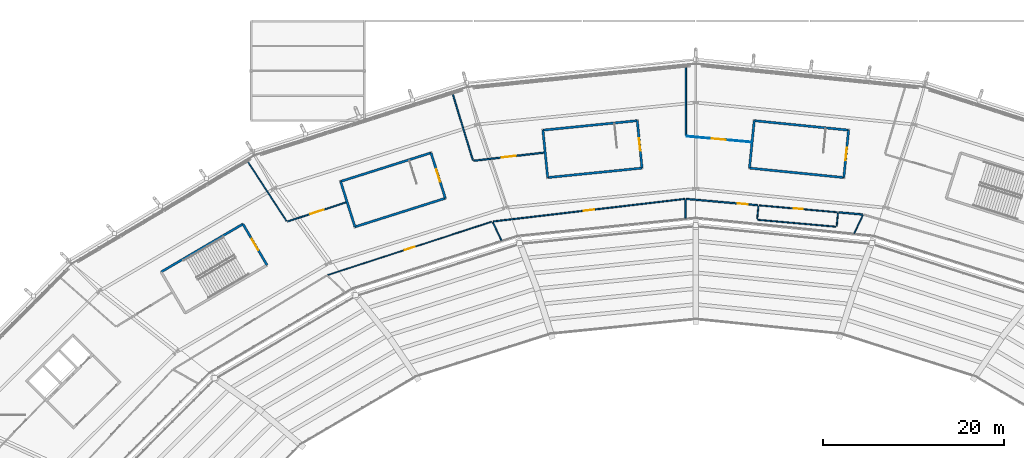
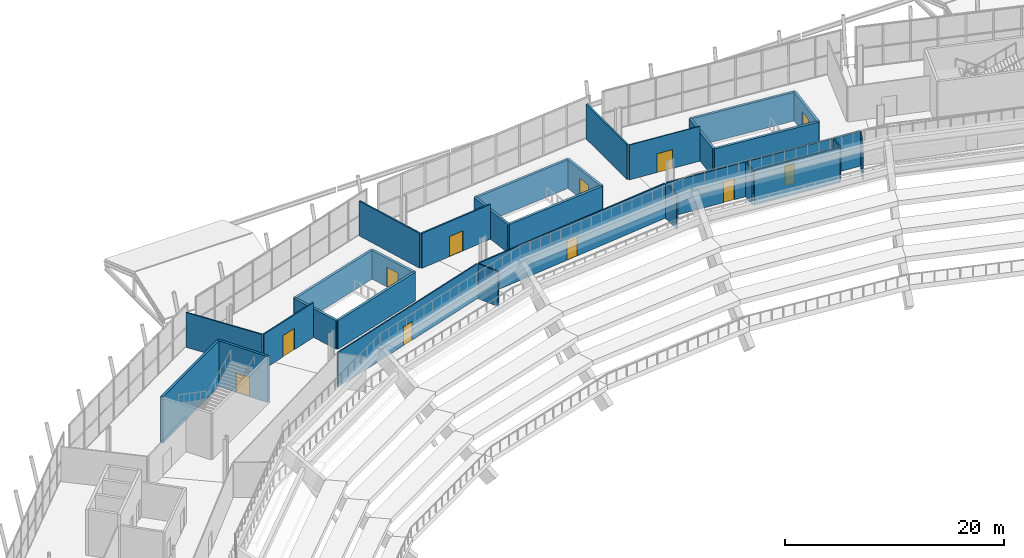
# One storey, part 103 of 126: 31 walls, 11 doors, 11 openings.
"""IFC4 building model written with IfcOpenShell, lengths in metres."""

from ifc_helpers import new_model, si_unit, direction, frame, frame_2d, origin, place, context, subcontext, project, spatial, rectangle, extrude, material, layer, layer_set, type_object, element, fill, save


model = new_model("IFC4")

# Units and contexts
model_context = context("Model", 3, precision=1e-05, world=origin(), true_north=direction((0.0, 1.0)))
body_context = subcontext(model_context, "Body", "Model", "MODEL_VIEW")
ifc_project = project(units=[si_unit("LENGTHUNIT", "METRE"), si_unit("AREAUNIT", "SQUARE_METRE"), si_unit("VOLUMEUNIT", "CUBIC_METRE"), si_unit("PLANEANGLEUNIT", "RADIAN"), si_unit("MASSUNIT", "GRAM", prefix="KILO")], contexts=[model_context])

# Site, building, storey
site_placement = place(None, origin())
site = spatial("IfcSite", under=ifc_project, at=site_placement, CompositionType="ELEMENT")
building_placement = place(site_placement, origin())
building = spatial("IfcBuilding", under=site, at=building_placement, Name="Zlatoyarsky Gate Stadium", CompositionType="ELEMENT")
storey_placement = place(building_placement, frame((0.0, 0.0, 20.800048828125)))
storey = spatial("IfcBuildingStorey", under=building, at=storey_placement, Name="L04", CompositionType="ELEMENT", Elevation=20.800048828125)

# Walls
ifc_material_1 = material(Name="Double-stud acoustic gypsum partition", Category="gypsum")
ifc_layer_1 = layer(ifc_material_1, 0.169921875)
ifc_layer_set_1 = layer_set([ifc_layer_1], Name="Double-stud acoustic gypsum partition")
wall_type_1 = type_object("IfcWallType", Name="ACOUSTIC BROADCAST STUDIO WALL 170", PredefinedType="PARTITIONING", material=ifc_layer_set_1)
wall_1_placement = place(storey_placement, frame((129.3798828125, 138.66455078125, 0.0), z_axis=(0.0, 0.0, 1.0), x_axis=(-0.9961360632, 0.08782336587, 0.0)))
element("IfcWall", 1, at=wall_1_placement, inside=storey, type_object=wall_type_1, Name="L04 interior partition PRT-L04-WCL-05", PredefinedType="PARTITIONING", context=body_context, shape_type="SweptSolid", body=[
    extrude(rectangle(XDim=2.6298828125, YDim=0.169921875, at=frame_2d((1.31494140625, 0.0))), origin(), (0.0, 0.0, 1.0), 3.889892578125),
])
wall_2_placement = place(storey_placement, frame((109.905517578125, 147.375, 0.0), z_axis=(0.0, 0.0, 1.0), x_axis=(3.2559502e-05, 0.99999999947, 0.0)))
element("IfcWall", 2, at=wall_2_placement, inside=storey, type_object=wall_type_1, Name="L04 interior partition PRT-L04-ORD-05R", PredefinedType="PARTITIONING", context=body_context, shape_type="SweptSolid", body=[
    extrude(rectangle(XDim=7.498291015625, YDim=0.169921875, at=frame_2d((3.7490234375, 0.0))), origin(), (0.0, 0.0, 1.0), 3.889892578125),
])

# Wall, opening, door
ifc_material_2 = material(Name="Moisture-resistant masonry partition", Category="masonry")
ifc_layer_2 = layer(ifc_material_2, 0.139892578125)
ifc_layer_set_2 = layer_set([ifc_layer_2], Name="Moisture-resistant masonry partition")
wall_type_2 = type_object("IfcWallType", Name="ATHLETE CHANGING BLOCK PARTITION 140", PredefinedType="PARTITIONING", material=ifc_layer_set_2)
wall_3_placement = place(storey_placement, frame((109.771240234375, 140.3759765625, 0.0), z_axis=(0.0, 0.0, 1.0), x_axis=(-0.993156562859, -0.116790588879, 0.0)))
wall_3 = element("IfcWall", 3, at=wall_3_placement, inside=storey, type_object=wall_type_2, Name="L04 vomitory portal wall PRT-L04-ICC-06", PredefinedType="PARTITIONING", context=body_context, shape_type="SweptSolid", body=[
    extrude(rectangle(XDim=21.251220703125, YDim=0.139892578125, at=frame_2d((10.62548828125, 0.0))), origin(), (0.0, 0.0, 1.0), 3.889892578125),
])
opening_1_placement = place(wall_3_placement, frame((10.045654296875, 0.0, 0.0)))
opening_1 = element("IfcOpeningElement", 4, at=opening_1_placement, cuts=wall_3, Name="Opening D-L04-513", PredefinedType="OPENING", context=body_context, shape_type="SweptSolid", body=[
    extrude(rectangle(XDim=1.159912109375, YDim=2.239990234375, at=frame_2d((0.580078125, 1.1201171875))), frame((0.0, 0.079833984375, 0.0), z_axis=(0.0, -1.0, 0.0), x_axis=(1.0, 0.0, 0.0)), (0.0, 0.0, 1.0), 0.159912109375),
])
ifc_material_3 = material(Name="Powder-coated steel fire door", Category="steel")
door_type_1 = type_object("IfcDoorType", Name="ACOUSTIC INTERIOR DOOR 1160X2240", OperationType="NOTDEFINED", PredefinedType="DOOR", material=ifc_material_3)
door_1_placement = place(opening_1_placement, origin())
door_1 = element("IfcDoor", 5, at=door_1_placement, inside=storey, type_object=door_type_1, Name="L04 vomitory portal door D-L04-513", OperationType="SINGLE_SWING_LEFT", OverallHeight=2.239990234375, OverallWidth=1.159912109375, PredefinedType="DOOR", context=body_context, shape_type="SweptSolid", body=[
    extrude(rectangle(XDim=1.159912109375, YDim=2.239990234375, at=frame_2d((0.580078125, 1.1201171875))), frame((0.0, 0.02490234375, 0.0), z_axis=(0.0, -1.0, 0.0), x_axis=(1.0, 0.0, 0.0)), (0.0, 0.0, 1.0), 0.050048828125),
])
fill(opening_1, door_1)

wall_4_placement = place(storey_placement, frame((72.448486328125, 139.995361328125, 0.0), z_axis=(0.0, 0.0, 1.0), x_axis=(-0.950436489512, -0.310918766567, 0.0)))
wall_4 = element("IfcWall", 6, at=wall_4_placement, inside=storey, type_object=wall_type_2, Name="L04 interior partition PRT-L04-OCC-07-1", PredefinedType="PARTITIONING", context=body_context, shape_type="SweptSolid", body=[
    extrude(rectangle(XDim=6.766357421875, YDim=0.139892578125, at=frame_2d((3.38330078125, 0.0))), origin(), (0.0, 0.0, 1.0), 3.889892578125),
])
opening_2_placement = place(wall_4_placement, frame((2.60302734375, 0.0, 0.0)))
opening_2 = element("IfcOpeningElement", 7, at=opening_2_placement, cuts=wall_4, Name="Opening D-L04-573", PredefinedType="OPENING", context=body_context, shape_type="SweptSolid", body=[
    extrude(rectangle(XDim=1.56005859375, YDim=2.3798828125, at=frame_2d((0.780029296875, 1.18994140625))), frame((0.0, 0.079833984375, 0.0), z_axis=(0.0, -1.0, 0.0), x_axis=(1.0, 0.0, 0.0)), (0.0, 0.0, 1.0), 0.159912109375),
])
door_type_2 = type_object("IfcDoorType", Name="ACOUSTIC INTERIOR DOOR 1560X2380", OperationType="NOTDEFINED", PredefinedType="DOOR", material=ifc_material_3)
door_2_placement = place(opening_2_placement, origin())
door_2 = element("IfcDoor", 8, at=door_2_placement, inside=storey, type_object=door_type_2, Name="L04 room door D-L04-573", OperationType="SINGLE_SWING_RIGHT", OverallHeight=2.3798828125, OverallWidth=1.56005859375, PredefinedType="DOOR", context=body_context, shape_type="SweptSolid", body=[
    extrude(rectangle(XDim=1.56005859375, YDim=2.3798828125, at=frame_2d((0.780029296875, 1.18994140625))), frame((0.0, 0.02490234375, 0.0), z_axis=(0.0, -1.0, 0.0), x_axis=(1.0, 0.0, 0.0)), (0.0, 0.0, 1.0), 0.050048828125),
])
fill(opening_2, door_2)

# Walls
ifc_material_4 = material(Name="Metal-stud gypsum partition", Category="gypsum")
ifc_layer_3 = layer(ifc_material_4, 0.14990234375)
ifc_layer_set_3 = layer_set([ifc_layer_3], Name="Metal-stud gypsum partition")
wall_type_3 = type_object("IfcWallType", Name="CONCOURSE CORRIDOR PARTITION 150", PredefinedType="PARTITIONING", material=ifc_layer_set_3)
wall_5_placement = place(storey_placement, frame((109.855712890625, 138.249267578125, 0.0), z_axis=(0.0, 0.0, 1.0), x_axis=(0.0, 1.0, 0.0)))
element("IfcWall", 9, at=wall_5_placement, inside=storey, type_object=wall_type_3, Name="L04 interior partition PRT-L04-IRD-06", PredefinedType="PARTITIONING", context=body_context, shape_type="SweptSolid", body=[
    extrude(rectangle(XDim=2.051513671875, YDim=0.14990234375, at=frame_2d((1.02587890625, 0.0))), origin(), (0.0, 0.0, 1.0), 3.889892578125),
])
wall_6_placement = place(storey_placement, frame((86.427001953125, 144.65771484375, 0.0), z_axis=(0.0, 0.0, 1.0), x_axis=(-0.289864051143, 0.957067830331, 0.0)))
element("IfcWall", 10, at=wall_6_placement, inside=storey, type_object=wall_type_3, Name="L04 interior partition PRT-L04-ORD-06R", PredefinedType="PARTITIONING", context=body_context, shape_type="SweptSolid", body=[
    extrude(rectangle(XDim=7.5634765625, YDim=0.14990234375, at=frame_2d((3.78173828125, 0.0))), origin(), (0.0, 0.0, 1.0), 3.889892578125),
])

# Wall, opening, door
ifc_material_5 = material(Name="Concrete C40/50", Category="concrete")
ifc_layer_4 = layer(ifc_material_5, 0.25)
ifc_layer_set_4 = layer_set([ifc_layer_4], Name="Concrete C40/50")
wall_type_4 = type_object("IfcWallType", Name="CONCRETE STAIR CORE SHEAR WALL 250", PredefinedType="SHEAR", material=ifc_layer_set_4)
wall_7_placement = place(storey_placement, frame((105.07861328125, 143.779052734375, 0.0), z_axis=(0.0, 0.0, 1.0), x_axis=(-0.100028593886, 0.994984562898, 0.0)))
wall_7 = element("IfcWall", 11, at=wall_7_placement, inside=storey, type_object=wall_type_4, Name="ST-04 L04 stair core entrance shear wall", PredefinedType="SHEAR", context=body_context, shape_type="SweptSolid", body=[
    extrude(rectangle(XDim=5.25, YDim=0.25, at=frame_2d((2.625, 0.0))), origin(), (0.0, 0.0, 1.0), 3.199951171875),
])
opening_3_placement = place(wall_7_placement, frame((1.925048828125, 0.0, 0.0)))
opening_3 = element("IfcOpeningElement", 12, at=opening_3_placement, cuts=wall_7, Name="Opening SD-ST-04-L04", PredefinedType="OPENING", context=body_context, shape_type="SweptSolid", body=[
    extrude(rectangle(XDim=1.39990234375, YDim=2.199951171875, at=frame_2d((0.699951171875, 1.10009765625))), frame((0.0, 0.135009765625, 0.0), z_axis=(0.0, -1.0, 0.0), x_axis=(1.0, 0.0, 0.0)), (0.0, 0.0, 1.0), 0.27001953125),
])
door_type_3 = type_object("IfcDoorType", Name="STAIR CORE FIRE EXIT DOOR 1400X2200", OperationType="NOTDEFINED", PredefinedType="DOOR", material=ifc_material_3)
door_3_placement = place(opening_3_placement, frame((1.39990234375, 0.0, 0.0), z_axis=(0.0, 0.0, 1.0), x_axis=(-1.0, 0.0, 0.0)))
door_3 = element("IfcDoor", 13, at=door_3_placement, inside=storey, type_object=door_type_3, Name="ST-04 L04 stair fire door", OperationType="SINGLE_SWING_RIGHT", OverallHeight=2.199951171875, OverallWidth=1.39990234375, PredefinedType="DOOR", context=body_context, shape_type="SweptSolid", body=[
    extrude(rectangle(XDim=1.39990234375, YDim=2.199951171875, at=frame_2d((0.699951171875, 1.10009765625))), frame((0.0, 0.02490234375, 0.0), z_axis=(0.0, -1.0, 0.0), x_axis=(1.0, 0.0, 0.0)), (0.0, 0.0, 1.0), 0.050048828125),
])
fill(opening_3, door_3)

# Walls
wall_8_placement = place(storey_placement, frame((104.553466796875, 149.002685546875, 0.0), z_axis=(0.0, 0.0, 1.0), x_axis=(-0.994985938948, -0.100014905366, 0.0)))
element("IfcWall", 14, at=wall_8_placement, inside=storey, type_object=wall_type_4, Name="ST-04 L04 stair core left shear wall", PredefinedType="SHEAR", context=body_context, shape_type="SweptSolid", body=[
    extrude(rectangle(XDim=10.4501953125, YDim=0.25, at=frame_2d((5.22509765625, 0.0))), origin(), (0.0, 0.0, 1.0), 3.199951171875),
])
wall_9_placement = place(storey_placement, frame((94.15576171875, 147.95751953125, 0.0), z_axis=(0.0, 0.0, 1.0), x_axis=(0.100028593886, -0.994984562898, 0.0)))
element("IfcWall", 15, at=wall_9_placement, inside=storey, type_object=wall_type_4, Name="ST-04 L04 stair core far shear wall", PredefinedType="SHEAR", context=body_context, shape_type="SweptSolid", body=[
    extrude(rectangle(XDim=5.25, YDim=0.25, at=frame_2d((2.625, 0.0))), origin(), (0.0, 0.0, 1.0), 3.199951171875),
])
wall_10_placement = place(storey_placement, frame((94.680908203125, 142.73388671875, 0.0), z_axis=(0.0, 0.0, 1.0), x_axis=(0.994985938948, 0.100014905366, 0.0)))
element("IfcWall", 16, at=wall_10_placement, inside=storey, type_object=wall_type_4, Name="ST-04 L04 stair core right shear wall", PredefinedType="SHEAR", context=body_context, shape_type="SweptSolid", body=[
    extrude(rectangle(XDim=10.4501953125, YDim=0.25, at=frame_2d((5.22509765625, 0.0))), origin(), (0.0, 0.0, 1.0), 3.199951171875),
])

# Wall, opening, door
wall_11_placement = place(storey_placement, frame((63.74658203125, 133.083984375, 0.0), z_axis=(0.0, 0.0, 1.0), x_axis=(-0.505460490551, 0.862849750821, 0.0)))
wall_11 = element("IfcWall", 17, at=wall_11_placement, inside=storey, type_object=wall_type_4, Name="ST-05 L04 stair core entrance shear wall", PredefinedType="SHEAR", context=body_context, shape_type="SweptSolid", body=[
    extrude(rectangle(XDim=5.249755859375, YDim=0.25, at=frame_2d((2.625, 0.0))), origin(), (0.0, 0.0, 1.0), 5.139892578125),
])
opening_4_placement = place(wall_11_placement, frame((1.925048828125, 0.0, 0.0)))
opening_4 = element("IfcOpeningElement", 18, at=opening_4_placement, cuts=wall_11, Name="Opening SD-ST-05-L04", PredefinedType="OPENING", context=body_context, shape_type="SweptSolid", body=[
    extrude(rectangle(XDim=1.39990234375, YDim=2.199951171875, at=frame_2d((0.699951171875, 1.10009765625))), frame((0.0, 0.135009765625, 0.0), z_axis=(0.0, -1.0, 0.0), x_axis=(1.0, 0.0, 0.0)), (0.0, 0.0, 1.0), 0.27001953125),
])
door_4_placement = place(opening_4_placement, frame((1.39990234375, 0.0, 0.0), z_axis=(0.0, 0.0, 1.0), x_axis=(-1.0, 0.0, 0.0)))
door_4 = element("IfcDoor", 19, at=door_4_placement, inside=storey, type_object=door_type_3, Name="ST-05 L04 stair fire door", OperationType="SINGLE_SWING_RIGHT", OverallHeight=2.199951171875, OverallWidth=1.39990234375, PredefinedType="DOOR", context=body_context, shape_type="SweptSolid", body=[
    extrude(rectangle(XDim=1.39990234375, YDim=2.199951171875, at=frame_2d((0.699951171875, 1.10009765625))), frame((0.0, 0.02490234375, 0.0), z_axis=(0.0, -1.0, 0.0), x_axis=(1.0, 0.0, 0.0)), (0.0, 0.0, 1.0), 0.050048828125),
])
fill(opening_4, door_4)

# Wall
wall_12_placement = place(storey_placement, frame((61.093017578125, 137.61376953125, 0.0), z_axis=(0.0, 0.0, 1.0), x_axis=(-0.862854686184, -0.505452065513, 0.0)))
element("IfcWall", 20, at=wall_12_placement, inside=storey, type_object=wall_type_4, Name="ST-05 L04 stair core left shear wall", PredefinedType="SHEAR", context=body_context, shape_type="SweptSolid", body=[
    extrude(rectangle(XDim=10.449951171875, YDim=0.25, at=frame_2d((5.22509765625, 0.0))), origin(), (0.0, 0.0, 1.0), 5.139892578125),
])

# Wall, opening, door
wall_13_placement = place(storey_placement, frame((83.400390625, 140.4521484375, 0.0), z_axis=(0.0, 0.0, 1.0), x_axis=(-0.30152749866, 0.953457480726, 0.0)))
wall_13 = element("IfcWall", 21, at=wall_13_placement, inside=storey, type_object=wall_type_4, Name="ST-14 L04 stair core entrance shear wall", PredefinedType="SHEAR", context=body_context, shape_type="SweptSolid", body=[
    extrude(rectangle(XDim=5.25, YDim=0.25, at=frame_2d((2.625, 0.0))), origin(), (0.0, 0.0, 1.0), 3.199951171875),
])
opening_5_placement = place(wall_13_placement, frame((1.925048828125, 0.0, 0.0)))
opening_5 = element("IfcOpeningElement", 22, at=opening_5_placement, cuts=wall_13, Name="Opening SD-ST-14-L04", PredefinedType="OPENING", context=body_context, shape_type="SweptSolid", body=[
    extrude(rectangle(XDim=1.39990234375, YDim=2.199951171875, at=frame_2d((0.699951171875, 1.10009765625))), frame((0.0, 0.135009765625, 0.0), z_axis=(0.0, -1.0, 0.0), x_axis=(1.0, 0.0, 0.0)), (0.0, 0.0, 1.0), 0.27001953125),
])
door_5_placement = place(opening_5_placement, frame((1.39990234375, 0.0, 0.0), z_axis=(0.0, 0.0, 1.0), x_axis=(-1.0, 0.0, 0.0)))
door_5 = element("IfcDoor", 23, at=door_5_placement, inside=storey, type_object=door_type_3, Name="ST-14 L04 stair fire door", OperationType="SINGLE_SWING_RIGHT", OverallHeight=2.199951171875, OverallWidth=1.39990234375, PredefinedType="DOOR", context=body_context, shape_type="SweptSolid", body=[
    extrude(rectangle(XDim=1.39990234375, YDim=2.199951171875, at=frame_2d((0.699951171875, 1.10009765625))), frame((0.0, 0.02490234375, 0.0), z_axis=(0.0, -1.0, 0.0), x_axis=(1.0, 0.0, 0.0)), (0.0, 0.0, 1.0), 0.050048828125),
])
fill(opening_5, door_5)

# Walls
wall_14_placement = place(storey_placement, frame((81.8173828125, 145.457763671875, 0.0), z_axis=(0.0, 0.0, 1.0), x_axis=(-0.953459710305, -0.301520448438, 0.0)))
element("IfcWall", 24, at=wall_14_placement, inside=storey, type_object=wall_type_4, Name="ST-14 L04 stair core left shear wall", PredefinedType="SHEAR", context=body_context, shape_type="SweptSolid", body=[
    extrude(rectangle(XDim=10.449951171875, YDim=0.25, at=frame_2d((5.22509765625, 0.0))), origin(), (0.0, 0.0, 1.0), 3.199951171875),
])
wall_15_placement = place(storey_placement, frame((71.853759765625, 142.306884765625, 0.0), z_axis=(0.0, 0.0, 1.0), x_axis=(0.30152749866, -0.953457480726, 0.0)))
element("IfcWall", 25, at=wall_15_placement, inside=storey, type_object=wall_type_4, Name="ST-14 L04 stair core far shear wall", PredefinedType="SHEAR", context=body_context, shape_type="SweptSolid", body=[
    extrude(rectangle(XDim=5.25, YDim=0.25, at=frame_2d((2.625, 0.0))), origin(), (0.0, 0.0, 1.0), 3.199951171875),
])
wall_16_placement = place(storey_placement, frame((73.436767578125, 137.30126953125, 0.0), z_axis=(0.0, 0.0, 1.0), x_axis=(0.953459710305, 0.301520448438, 0.0)))
element("IfcWall", 26, at=wall_16_placement, inside=storey, type_object=wall_type_4, Name="ST-14 L04 stair core right shear wall", PredefinedType="SHEAR", context=body_context, shape_type="SweptSolid", body=[
    extrude(rectangle(XDim=10.449951171875, YDim=0.25, at=frame_2d((5.22509765625, 0.0))), origin(), (0.0, 0.0, 1.0), 3.199951171875),
])

# Wall, opening, door
wall_17_placement = place(storey_placement, frame((127.319091796875, 142.73388671875, 0.0), z_axis=(0.0, 0.0, 1.0), x_axis=(0.10002396577, 0.994985028165, 0.0)))
wall_17 = element("IfcWall", 27, at=wall_17_placement, inside=storey, type_object=wall_type_4, Name="ST-17 L04 stair core entrance shear wall", PredefinedType="SHEAR", context=body_context, shape_type="SweptSolid", body=[
    extrude(rectangle(XDim=5.250244140625, YDim=0.25, at=frame_2d((2.625, 0.0))), origin(), (0.0, 0.0, 1.0), 3.199951171875),
])
opening_6_placement = place(wall_17_placement, frame((1.925048828125, 0.0, 0.0)))
opening_6 = element("IfcOpeningElement", 28, at=opening_6_placement, cuts=wall_17, Name="Opening SD-ST-17-L04", PredefinedType="OPENING", context=body_context, shape_type="SweptSolid", body=[
    extrude(rectangle(XDim=1.39990234375, YDim=2.199951171875, at=frame_2d((0.699951171875, 1.10009765625))), frame((0.0, 0.135009765625, 0.0), z_axis=(0.0, -1.0, 0.0), x_axis=(1.0, 0.0, 0.0)), (0.0, 0.0, 1.0), 0.27001953125),
])
door_6_placement = place(opening_6_placement, frame((1.39990234375, 0.0, 0.0), z_axis=(0.0, 0.0, 1.0), x_axis=(-1.0, 0.0, 0.0)))
door_6 = element("IfcDoor", 29, at=door_6_placement, inside=storey, type_object=door_type_3, Name="ST-17 L04 stair fire door", OperationType="SINGLE_SWING_RIGHT", OverallHeight=2.199951171875, OverallWidth=1.39990234375, PredefinedType="DOOR", context=body_context, shape_type="SweptSolid", body=[
    extrude(rectangle(XDim=1.39990234375, YDim=2.199951171875, at=frame_2d((0.699951171875, 1.10009765625))), frame((0.0, 0.02490234375, 0.0), z_axis=(0.0, -1.0, 0.0), x_axis=(1.0, 0.0, 0.0)), (0.0, 0.0, 1.0), 0.050048828125),
])
fill(opening_6, door_6)

# Walls
wall_18_placement = place(storey_placement, frame((127.84423828125, 147.957763671875, 0.0), z_axis=(0.0, 0.0, 1.0), x_axis=(-0.994988263568, 0.09999177647, 0.0)))
element("IfcWall", 30, at=wall_18_placement, inside=storey, type_object=wall_type_4, Name="ST-17 L04 stair core left shear wall", PredefinedType="SHEAR", context=body_context, shape_type="SweptSolid", body=[
    extrude(rectangle(XDim=10.4501953125, YDim=0.25, at=frame_2d((5.22509765625, 0.0))), origin(), (0.0, 0.0, 1.0), 3.199951171875),
])
wall_19_placement = place(storey_placement, frame((117.446533203125, 149.002685546875, 0.0), z_axis=(0.0, 0.0, 1.0), x_axis=(-0.099982555566, -0.994989190184, 0.0)))
element("IfcWall", 31, at=wall_19_placement, inside=storey, type_object=wall_type_4, Name="ST-17 L04 stair core far shear wall", PredefinedType="SHEAR", context=body_context, shape_type="SweptSolid", body=[
    extrude(rectangle(XDim=5.25, YDim=0.25, at=frame_2d((2.625, 0.0))), origin(), (0.0, 0.0, 1.0), 3.199951171875),
])
wall_20_placement = place(storey_placement, frame((116.921630859375, 143.779052734375, 0.0), z_axis=(0.0, 0.0, 1.0), x_axis=(0.994985705245, -0.100017230303, 0.0)))
element("IfcWall", 32, at=wall_20_placement, inside=storey, type_object=wall_type_4, Name="ST-17 L04 stair core right shear wall", PredefinedType="SHEAR", context=body_context, shape_type="SweptSolid", body=[
    extrude(rectangle(XDim=10.449951171875, YDim=0.25, at=frame_2d((5.22509765625, 0.0))), origin(), (0.0, 0.0, 1.0), 3.199951171875),
])

# Wall, opening, door
ifc_material_6 = material(Name="Timber-veneered acoustic operable partition", Category="wood")
ifc_layer_5 = layer(ifc_material_6, 0.094970703125)
ifc_layer_set_5 = layer_set([ifc_layer_5], Name="Timber-veneered acoustic operable partition")
wall_type_5 = type_object("IfcWallType", Name="FOLDING BANQUET SALON WALL 95", PredefinedType="MOVABLE", material=ifc_layer_set_5)
wall_21_placement = place(storey_placement, frame((117.07861328125, 146.641845703125, 0.0), z_axis=(0.0, 0.0, 1.0), x_axis=(-0.995940866338, 0.090009948105, 0.0)))
wall_21 = element("IfcWall", 33, at=wall_21_placement, inside=storey, type_object=wall_type_5, Name="L04 interior partition PRT-L04-OCC-05-1", PredefinedType="MOVABLE", context=body_context, shape_type="SweptSolid", body=[
    extrude(rectangle(XDim=7.1171875, YDim=0.094970703125, at=frame_2d((3.55859375, 0.0))), origin(), (0.0, 0.0, 1.0), 3.889892578125),
])
opening_7_placement = place(wall_21_placement, frame((2.778564453125, 0.0, 0.0)))
opening_7 = element("IfcOpeningElement", 34, at=opening_7_placement, cuts=wall_21, Name="Opening D-L04-569", PredefinedType="OPENING", context=body_context, shape_type="SweptSolid", body=[
    extrude(rectangle(XDim=1.56005859375, YDim=2.10009765625, at=frame_2d((0.780029296875, 1.050048828125))), frame((0.0, 0.057373046875, 0.0), z_axis=(0.0, -1.0, 0.0), x_axis=(1.0, 0.0, 0.0)), (0.0, 0.0, 1.0), 0.114990234375),
])
ifc_material_7 = material(Name="Solid-core oak veneer acoustic door", Category="wood")
door_type_4 = type_object("IfcDoorType", Name="ACOUSTIC INTERIOR DOOR 1560X2100", OperationType="NOTDEFINED", PredefinedType="DOOR", material=ifc_material_7)
door_7_placement = place(opening_7_placement, origin())
door_7 = element("IfcDoor", 35, at=door_7_placement, inside=storey, type_object=door_type_4, Name="L04 room door D-L04-569", OperationType="SINGLE_SWING_RIGHT", OverallHeight=2.10009765625, OverallWidth=1.56005859375, PredefinedType="DOOR", context=body_context, shape_type="SweptSolid", body=[
    extrude(rectangle(XDim=1.56005859375, YDim=2.10009765625, at=frame_2d((0.780029296875, 1.050048828125))), frame((0.0, 0.02490234375, 0.0), z_axis=(0.0, -1.0, 0.0), x_axis=(1.0, 0.0, 0.0)), (0.0, 0.0, 1.0), 0.050048828125),
])
fill(opening_7, door_7)

ifc_material_8 = material(Name="Acoustic metal-stud gypsum partition", Category="gypsum")
ifc_layer_6 = layer(ifc_material_8, 0.159912109375)
ifc_layer_set_6 = layer_set([ifc_layer_6], Name="Acoustic metal-stud gypsum partition")
wall_type_6 = type_object("IfcWallType", Name="HOSPITALITY SUITE PARTITION 160", PredefinedType="PARTITIONING", material=ifc_layer_set_6)
wall_22_placement = place(storey_placement, frame((117.82470703125, 139.68310546875, 0.0), z_axis=(0.0, 0.0, 1.0), x_axis=(-0.996133820569, 0.087848799188, 0.0)))
wall_22 = element("IfcWall", 36, at=wall_22_placement, inside=storey, type_object=wall_type_6, Name="L04 interior partition PRT-L04-ICC-05", PredefinedType="PARTITIONING", context=body_context, shape_type="SweptSolid", body=[
    extrude(rectangle(XDim=7.914794921875, YDim=0.159912109375, at=frame_2d((3.95751953125, 0.0))), origin(), (0.0, 0.0, 1.0), 3.889892578125),
])
opening_8_placement = place(wall_22_placement, frame((1.10009765625, 0.0, 0.0)))
opening_8 = element("IfcOpeningElement", 37, at=opening_8_placement, cuts=wall_22, Name="Opening D-L04-511", PredefinedType="OPENING", context=body_context, shape_type="SweptSolid", body=[
    extrude(rectangle(XDim=1.080078125, YDim=2.3798828125, at=frame_2d((0.5400390625, 1.18994140625))), frame((0.0, 0.08984375, 0.0), z_axis=(0.0, -1.0, 0.0), x_axis=(1.0, 0.0, 0.0)), (0.0, 0.0, 1.0), 0.179931640625),
])
door_type_5 = type_object("IfcDoorType", Name="ACOUSTIC INTERIOR DOOR 1080X2380", OperationType="NOTDEFINED", PredefinedType="DOOR", material=ifc_material_3)
door_8_placement = place(opening_8_placement, origin())
door_8 = element("IfcDoor", 38, at=door_8_placement, inside=storey, type_object=door_type_5, Name="L04 room door D-L04-511", OperationType="SINGLE_SWING_RIGHT", OverallHeight=2.3798828125, OverallWidth=1.080078125, PredefinedType="DOOR", context=body_context, shape_type="SweptSolid", body=[
    extrude(rectangle(XDim=1.080078125, YDim=2.3798828125, at=frame_2d((0.5400390625, 1.18994140625))), frame((0.0, 0.02490234375, 0.0), z_axis=(0.0, -1.0, 0.0), x_axis=(1.0, 0.0, 0.0)), (0.0, 0.0, 1.0), 0.050048828125),
])
fill(opening_8, door_8)

wall_23_placement = place(storey_placement, frame((94.274169921875, 145.4814453125, 0.0), z_axis=(0.0, 0.0, 1.0), x_axis=(-0.993374026279, -0.114926254239, 0.0)))
wall_23 = element("IfcWall", 39, at=wall_23_placement, inside=storey, type_object=wall_type_6, Name="L04 interior partition PRT-L04-OCC-06-1", PredefinedType="PARTITIONING", context=body_context, shape_type="SweptSolid", body=[
    extrude(rectangle(XDim=7.789794921875, YDim=0.159912109375, at=frame_2d((3.89501953125, 0.0))), origin(), (0.0, 0.0, 1.0), 3.889892578125),
])
opening_9_placement = place(wall_23_placement, frame((3.114990234375, 0.0, 0.0)))
opening_9 = element("IfcOpeningElement", 40, at=opening_9_placement, cuts=wall_23, Name="Opening D-L04-571", PredefinedType="OPENING", context=body_context, shape_type="SweptSolid", body=[
    extrude(rectangle(XDim=1.56005859375, YDim=2.239990234375, at=frame_2d((0.780029296875, 1.1201171875))), frame((0.0, 0.08984375, 0.0), z_axis=(0.0, -1.0, 0.0), x_axis=(1.0, 0.0, 0.0)), (0.0, 0.0, 1.0), 0.179931640625),
])
door_type_6 = type_object("IfcDoorType", Name="ACOUSTIC INTERIOR DOOR 1560X2240", OperationType="NOTDEFINED", PredefinedType="DOOR", material=ifc_material_3)
door_9_placement = place(opening_9_placement, origin())
door_9 = element("IfcDoor", 41, at=door_9_placement, inside=storey, type_object=door_type_6, Name="L04 room door D-L04-571", OperationType="SINGLE_SWING_LEFT", OverallHeight=2.239990234375, OverallWidth=1.56005859375, PredefinedType="DOOR", context=body_context, shape_type="SweptSolid", body=[
    extrude(rectangle(XDim=1.56005859375, YDim=2.239990234375, at=frame_2d((0.780029296875, 1.1201171875))), frame((0.0, 0.02490234375, 0.0), z_axis=(0.0, -1.0, 0.0), x_axis=(1.0, 0.0, 0.0)), (0.0, 0.0, 1.0), 0.050048828125),
])
fill(opening_9, door_9)

# Wall
ifc_layer_7 = layer(ifc_material_4, 0.1201171875)
ifc_layer_set_7 = layer_set([ifc_layer_7], Name="Metal-stud gypsum partition")
wall_type_7 = type_object("IfcWallType", Name="OFFICE AND PRESS PARTITION 120", PredefinedType="PARTITIONING", material=ifc_layer_set_7)
wall_24_placement = place(storey_placement, frame((128.461669921875, 136.59228515625, 0.0), z_axis=(0.0, 0.0, 1.0), x_axis=(0.436934602117, 0.899493275946, 0.0)))
element("IfcWall", 42, at=wall_24_placement, inside=storey, type_object=wall_type_7, Name="L04 interior partition PRT-L04-IRD-05", PredefinedType="PARTITIONING", context=body_context, shape_type="SweptSolid", body=[
    extrude(rectangle(XDim=2.21044921875, YDim=0.1201171875, at=frame_2d((1.105224609375, 0.0))), origin(), (0.0, 0.0, 1.0), 3.889892578125),
])

# Wall, opening, door
wall_25_placement = place(storey_placement, frame((88.50048828125, 137.85791015625, 0.0), z_axis=(0.0, 0.0, 1.0), x_axis=(-0.951083486705, -0.308933975661, 0.0)))
wall_25 = element("IfcWall", 43, at=wall_25_placement, inside=storey, type_object=wall_type_7, Name="L04 interior partition PRT-L04-ICC-07", PredefinedType="PARTITIONING", context=body_context, shape_type="SweptSolid", body=[
    extrude(rectangle(XDim=18.98291015625, YDim=0.1201171875, at=frame_2d((9.491455078125, 0.0))), origin(), (0.0, 0.0, 1.0), 3.889892578125),
])
opening_10_placement = place(wall_25_placement, frame((8.911376953125, 0.0, 0.0)))
opening_10 = element("IfcOpeningElement", 44, at=opening_10_placement, cuts=wall_25, Name="Opening D-L04-515", PredefinedType="OPENING", context=body_context, shape_type="SweptSolid", body=[
    extrude(rectangle(XDim=1.159912109375, YDim=2.10009765625, at=frame_2d((0.580078125, 1.050048828125))), frame((0.0, 0.070068359375, 0.0), z_axis=(0.0, -1.0, 0.0), x_axis=(1.0, 0.0, 0.0)), (0.0, 0.0, 1.0), 0.14013671875),
])
door_type_7 = type_object("IfcDoorType", Name="ACOUSTIC INTERIOR DOOR 1160X2100", OperationType="NOTDEFINED", PredefinedType="DOOR", material=ifc_material_7)
door_10_placement = place(opening_10_placement, origin())
door_10 = element("IfcDoor", 45, at=door_10_placement, inside=storey, type_object=door_type_7, Name="L04 room door D-L04-515", OperationType="SINGLE_SWING_RIGHT", OverallHeight=2.10009765625, OverallWidth=1.159912109375, PredefinedType="DOOR", context=body_context, shape_type="SweptSolid", body=[
    extrude(rectangle(XDim=1.159912109375, YDim=2.10009765625, at=frame_2d((0.580078125, 1.050048828125))), frame((0.0, 0.02490234375, 0.0), z_axis=(0.0, -1.0, 0.0), x_axis=(1.0, 0.0, 0.0)), (0.0, 0.0, 1.0), 0.050048828125),
])
fill(opening_10, door_10)

ifc_material_9 = material(Name="Moisture-resistant tile-backed partition", Category="gypsum")
ifc_layer_8 = layer(ifc_material_9, 0.1298828125)
ifc_layer_set_8 = layer_set([ifc_layer_8], Name="Moisture-resistant tile-backed partition")
wall_type_8 = type_object("IfcWallType", Name="SANITARY WET ROOM PARTITION 130", PredefinedType="PARTITIONING", material=ifc_layer_set_8)
wall_26_placement = place(storey_placement, frame((126.5908203125, 138.910400390625, 0.0), z_axis=(0.0, 0.0, 1.0), x_axis=(-0.996137131507, 0.087811247762, 0.0)))
wall_26 = element("IfcWall", 46, at=wall_26_placement, inside=storey, type_object=wall_type_8, Name="L04 interior partition PRT-L04-WC05-F", PredefinedType="PARTITIONING", context=body_context, shape_type="SweptSolid", body=[
    extrude(rectangle(XDim=8.630126953125, YDim=0.1298828125, at=frame_2d((4.31494140625, 0.0))), origin(), (0.0, 0.0, 1.0), 3.889892578125),
])
opening_11_placement = place(wall_26_placement, frame((3.8349609375, 0.0, 0.0)))
opening_11 = element("IfcOpeningElement", 47, at=opening_11_placement, cuts=wall_26, Name="Opening D-L04-506", PredefinedType="OPENING", context=body_context, shape_type="SweptSolid", body=[
    extrude(rectangle(XDim=0.9599609375, YDim=2.239990234375, at=frame_2d((0.47998046875, 1.1201171875))), frame((0.0, 0.074951171875, 0.0), z_axis=(0.0, -1.0, 0.0), x_axis=(1.0, 0.0, 0.0)), (0.0, 0.0, 1.0), 0.14990234375),
])
door_type_8 = type_object("IfcDoorType", Name="ACOUSTIC INTERIOR DOOR 960X2240", OperationType="NOTDEFINED", PredefinedType="DOOR", material=ifc_material_7)
door_11_placement = place(opening_11_placement, origin())
door_11 = element("IfcDoor", 48, at=door_11_placement, inside=storey, type_object=door_type_8, Name="L04 room door D-L04-506", OperationType="SINGLE_SWING_LEFT", OverallHeight=2.239990234375, OverallWidth=0.9599609375, PredefinedType="DOOR", context=body_context, shape_type="SweptSolid", body=[
    extrude(rectangle(XDim=0.9599609375, YDim=2.239990234375, at=frame_2d((0.47998046875, 1.1201171875))), frame((0.0, 0.02490234375, 0.0), z_axis=(0.0, -1.0, 0.0), x_axis=(1.0, 0.0, 0.0)), (0.0, 0.0, 1.0), 0.050048828125),
])
fill(opening_11, door_11)

# Walls
wall_27_placement = place(storey_placement, frame((126.4501953125, 137.316650390625, 0.0), z_axis=(0.0, 0.0, 1.0), x_axis=(-0.996136913361, 0.08781372239, 0.0)))
element("IfcWall", 49, at=wall_27_placement, inside=storey, type_object=wall_type_8, Name="L04 interior partition PRT-L04-WC05-B", PredefinedType="PARTITIONING", context=body_context, shape_type="SweptSolid", body=[
    extrude(rectangle(XDim=8.6298828125, YDim=0.1298828125, at=frame_2d((4.31494140625, 0.0))), origin(), (0.0, 0.0, 1.0), 3.889892578125),
])
wall_28_placement = place(storey_placement, frame((126.66796875, 138.818115234375, 0.0), z_axis=(0.0, 0.0, 1.0), x_axis=(-0.087764246596, -0.996141273625, 0.0)))
element("IfcWall", 50, at=wall_28_placement, inside=storey, type_object=wall_type_8, Name="L04 interior partition PRT-L04-WC05-L", PredefinedType="PARTITIONING", context=body_context, shape_type="SweptSolid", body=[
    extrude(rectangle(XDim=1.429931640625, YDim=0.1298828125, at=frame_2d((0.71484375, 0.0))), origin(), (0.0, 0.0, 1.0), 3.889892578125),
])
wall_29_placement = place(storey_placement, frame((117.902099609375, 139.591064453125, 0.0), z_axis=(0.0, 0.0, 1.0), x_axis=(-0.087749321419, -0.996142588483, 0.0)))
element("IfcWall", 51, at=wall_29_placement, inside=storey, type_object=wall_type_8, Name="L04 interior partition PRT-L04-WC05-R", PredefinedType="PARTITIONING", context=body_context, shape_type="SweptSolid", body=[
    extrude(rectangle(XDim=1.43017578125, YDim=0.1298828125, at=frame_2d((0.715087890625, 0.0))), origin(), (0.0, 0.0, 1.0), 3.889892578125),
])
wall_30_placement = place(storey_placement, frame((89.5869140625, 135.80908203125, 0.0), z_axis=(0.0, 0.0, 1.0), x_axis=(-0.436098180005, 0.899899092897, 0.0)))
element("IfcWall", 52, at=wall_30_placement, inside=storey, type_object=wall_type_8, Name="L04 interior partition PRT-L04-IRD-07", PredefinedType="PARTITIONING", context=body_context, shape_type="SweptSolid", body=[
    extrude(rectangle(XDim=2.220947265625, YDim=0.1298828125, at=frame_2d((1.1103515625, 0.0))), origin(), (0.0, 0.0, 1.0), 3.889892578125),
])
wall_31_placement = place(storey_placement, frame((65.890380859375, 137.936279296875, 0.0), z_axis=(0.0, 0.0, 1.0), x_axis=(-0.546566394128, 0.837415772964, 0.0)))
element("IfcWall", 53, at=wall_31_placement, inside=storey, type_object=wall_type_8, Name="L04 interior partition PRT-L04-ORD-07R", PredefinedType="PARTITIONING", context=body_context, shape_type="SweptSolid", body=[
    extrude(rectangle(XDim=7.75537109375, YDim=0.1298828125, at=frame_2d((3.877685546875, 0.0))), origin(), (0.0, 0.0, 1.0), 3.889892578125),
])

save(model, "model.ifc")
